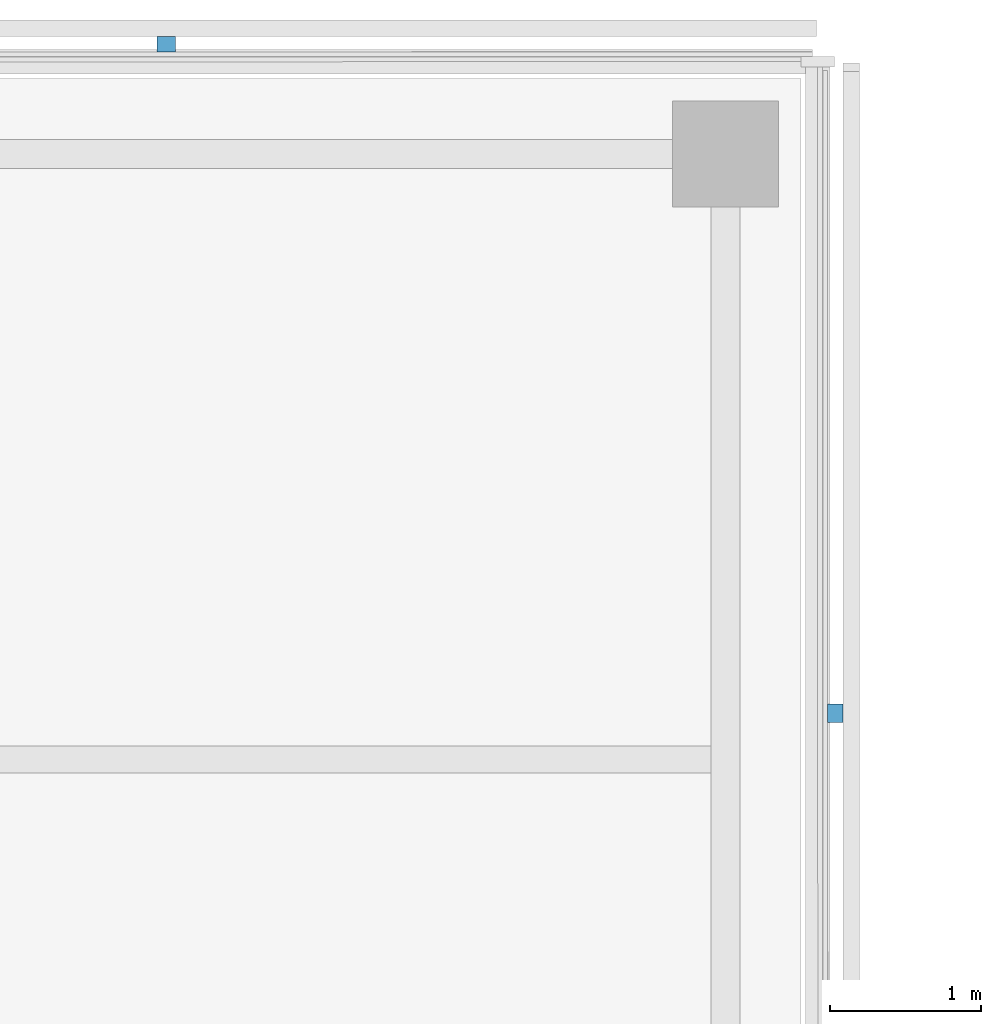
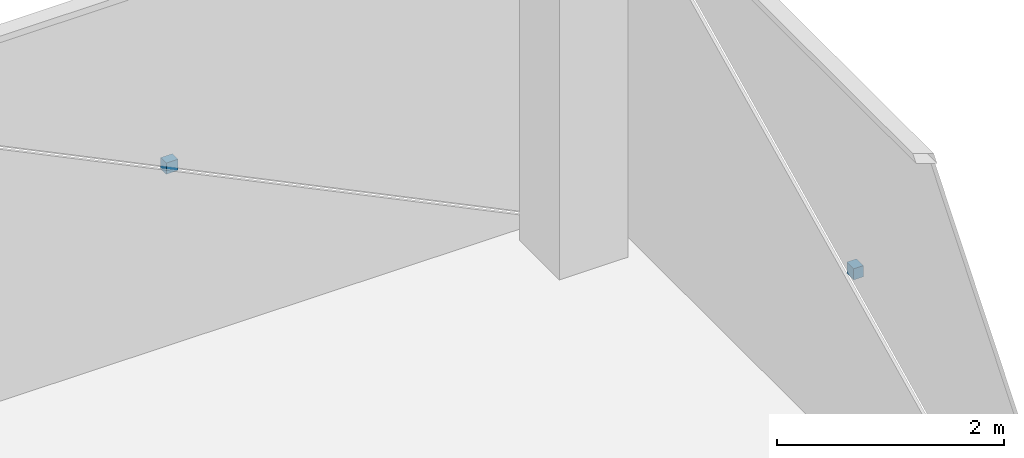
# One storey, part 20 of 22: 2 discrete accessories.
"""IFC4 building model written with IfcOpenShell, lengths in metres."""

from ifc_helpers import new_model, si_unit, direction, frame, origin, origin_2d, place, context, subcontext, project, spatial, rectangle, extrude, material, type_object, element, save


model = new_model("IFC4")

# Units and contexts
model_context = context("Model", 3, precision=1e-05, world=origin(), true_north=direction((0.0, 1.0)))
body_context = subcontext(model_context, "Body", "Model", "MODEL_VIEW")
ifc_project = project(units=[si_unit("LENGTHUNIT", "METRE"), si_unit("AREAUNIT", "SQUARE_METRE"), si_unit("VOLUMEUNIT", "CUBIC_METRE"), si_unit("PLANEANGLEUNIT", "RADIAN"), si_unit("MASSUNIT", "GRAM", prefix="KILO")], contexts=[model_context])

# Site, building, storey
site_placement = place(None, origin())
site = spatial("IfcSite", under=ifc_project, at=site_placement, CompositionType="ELEMENT")
building_placement = place(site_placement, origin())
building = spatial("IfcBuilding", under=site, at=building_placement, Name="Crosswind Convention Tower", CompositionType="ELEMENT")
storey_placement = place(building_placement, frame((0.0, 0.0, 163.10009765625)))
storey = spatial("IfcBuildingStorey", under=building, at=storey_placement, Name="L34", CompositionType="ELEMENT", Elevation=163.10009765625)

# Discrete accessories
ifc_material = material(Name="Stainless steel", Category="steel")
discrete_accessory_type = type_object("IfcDiscreteAccessoryType", Name="BAGUETTE BRACKET BK3", PredefinedType="BRACKET", material=ifc_material)
for number, where, z_axis, x_axis, name in (
    (1, (137.72607421875, 124.304931640625, 1.704833984375), (0.0, 0.0, 1.0), (0.0, 1.0, 0.0), "BK3 baguette bracket"),
    (2, (133.304931640625, 128.72607421875, 1.704833984375), (0.0, 0.0, 1.0), (-1.0, 0.0, 0.0), "BK3 baguette bracket"),
):
    element("IfcDiscreteAccessory", number, at=place(storey_placement, frame(where, z_axis=z_axis, x_axis=x_axis)), inside=storey, type_object=discrete_accessory_type, Name=name, PredefinedType="BRACKET", context=body_context, shape_type="SweptSolid", body=[
        extrude(rectangle(XDim=0.1201171875, YDim=0.10009765625, at=origin_2d()), origin(), (0.0, 0.0, 1.0), 0.1201171875),
    ])

save(model, "model.ifc")
